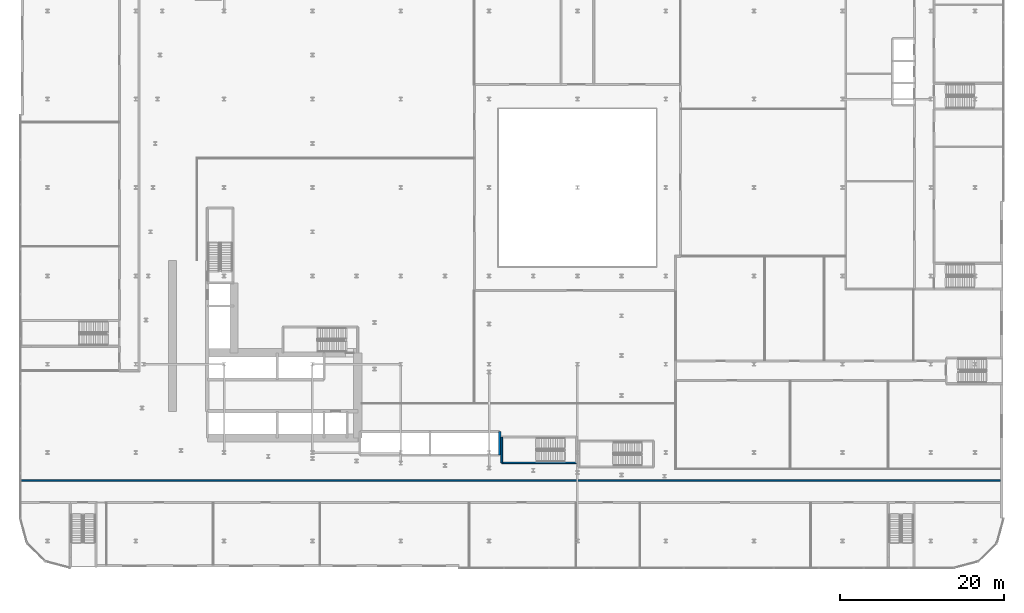
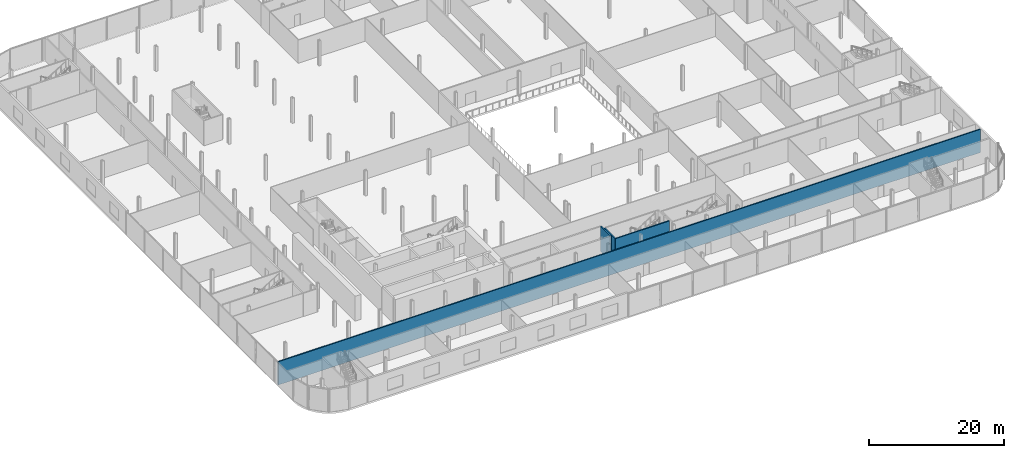
# One storey, part 28 of 47: 4 walls.
"""IFC4 building model written with IfcOpenShell, lengths in metres."""

from ifc_helpers import new_model, si_unit, direction, frame, frame_2d, origin, place, context, subcontext, project, spatial, rectangle, extrude, material, layer, layer_set, type_object, element, save


model = new_model("IFC4")

# Units and contexts
model_context = context("Model", 3, precision=1e-05, world=origin(), true_north=direction((0.0, 1.0)))
body_context = subcontext(model_context, "Body", "Model", "MODEL_VIEW")
ifc_project = project(units=[si_unit("LENGTHUNIT", "METRE"), si_unit("AREAUNIT", "SQUARE_METRE"), si_unit("VOLUMEUNIT", "CUBIC_METRE"), si_unit("PLANEANGLEUNIT", "RADIAN"), si_unit("MASSUNIT", "GRAM", prefix="KILO")], contexts=[model_context])

# Site, building, storey
site_placement = place(None, origin())
site = spatial("IfcSite", under=ifc_project, at=site_placement, CompositionType="ELEMENT")
building_placement = place(site_placement, origin())
building = spatial("IfcBuilding", under=site, at=building_placement, Name="Kheshtan School and Residences Tower", CompositionType="ELEMENT")
storey_placement = place(building_placement, frame((0.0, 0.0, 17.0)))
storey = spatial("IfcBuildingStorey", under=building, at=storey_placement, Name="L03", CompositionType="ELEMENT", Elevation=17.0)

# Walls
ifc_material_1 = material(Name="Gypsum board on steel studs with fire boards", Category="steel")
ifc_layer_1 = layer(ifc_material_1, 0.199951171875)
ifc_layer_set_1 = layer_set([ifc_layer_1], Name="Corridor wall 200")
wall_type_1 = type_object("IfcWallType", Name="Corridor wall 200", PredefinedType="PARTITIONING", material=ifc_layer_set_1)
wall_1_placement = place(storey_placement, frame((12.0, 20.60009765625, 0.0), z_axis=(0.0, 0.0, 1.0), x_axis=(1.0, 0.0, 0.0)))
element("IfcWall", 1, at=wall_1_placement, inside=storey, type_object=wall_type_1, Name="Partition L03-002", PredefinedType="PARTITIONING", context=body_context, shape_type="SweptSolid", body=[
    extrude(rectangle(XDim=119.700927734375, YDim=0.199951171875, at=frame_2d((59.8505859375, 0.0))), origin(), (0.0, 0.0, 1.0), 4.179931640625),
])
ifc_material_2 = material(Name="Fire-board shaft wall system")
ifc_layer_2 = layer(ifc_material_2, 0.25)
ifc_layer_set_2 = layer_set([ifc_layer_2], Name="Shaft lining wall 250")
wall_type_2 = type_object("IfcWallType", Name="Shaft lining wall 250", PredefinedType="PARTITIONING", material=ifc_layer_set_2)
wall_2_placement = place(storey_placement, frame((70.5, 23.699951171875, 0.0), z_axis=(0.0, 0.0, 1.0), x_axis=(0.0, 1.0, 0.0)))
element("IfcWall", 2, at=wall_2_placement, inside=storey, type_object=wall_type_2, Name="Shaft lining wall", PredefinedType="PARTITIONING", context=body_context, shape_type="SweptSolid", body=[
    extrude(rectangle(XDim=2.85009765625, YDim=0.25, at=frame_2d((1.425048828125, 0.0))), origin(), (0.0, 0.0, 1.0), 4.5),
])
ifc_material_3 = material(Name="Concrete C40/50", Category="concrete")
ifc_layer_3 = layer(ifc_material_3, 0.199951171875)
ifc_layer_set_3 = layer_set([ifc_layer_3], Name="Stair enclosure wall 200 Concrete C40/50")
wall_type_3 = type_object("IfcWallType", Name="Stair enclosure wall 200 Concrete C40/50", PredefinedType="SHEAR", material=ifc_layer_set_3)
wall_3_placement = place(storey_placement, frame((70.75, 22.75, 0.0), z_axis=(0.0, 0.0, 1.0), x_axis=(1.0, 0.0, 0.0)))
element("IfcWall", 3, at=wall_3_placement, inside=storey, type_object=wall_type_3, Name="Stair enclosure wall ST5", PredefinedType="SHEAR", context=body_context, shape_type="SweptSolid", body=[
    extrude(rectangle(XDim=9.159912109375, YDim=0.199951171875, at=frame_2d((4.580078125, 0.0))), origin(), (0.0, 0.0, 1.0), 4.5),
])
wall_4_placement = place(storey_placement, frame((70.75, 22.75, 0.0), z_axis=(0.0, 0.0, 1.0), x_axis=(0.0, 1.0, 0.0)))
element("IfcWall", 4, at=wall_4_placement, inside=storey, type_object=wall_type_3, Name="Stair enclosure wall ST5", PredefinedType="SHEAR", context=body_context, shape_type="SweptSolid", body=[
    extrude(rectangle(XDim=3.14990234375, YDim=0.199951171875, at=frame_2d((1.574951171875, 0.0))), origin(), (0.0, 0.0, 1.0), 4.5),
])

save(model, "model.ifc")
